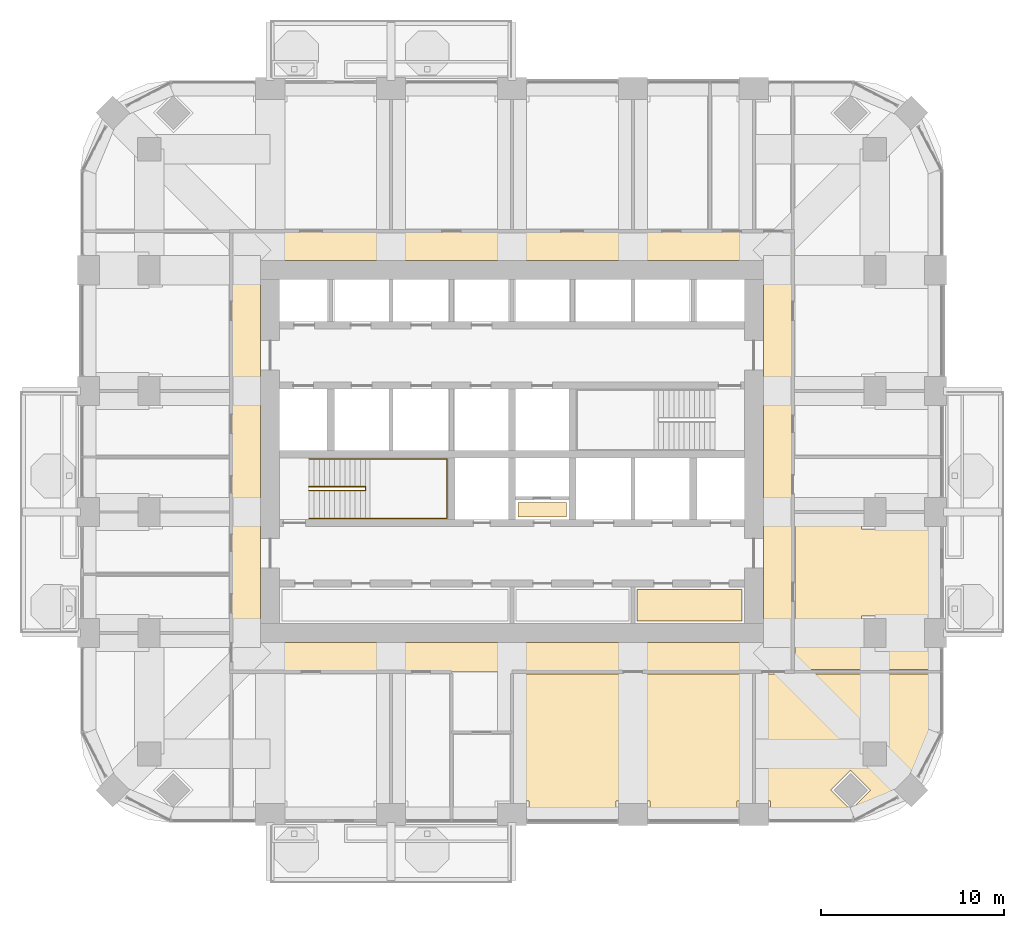
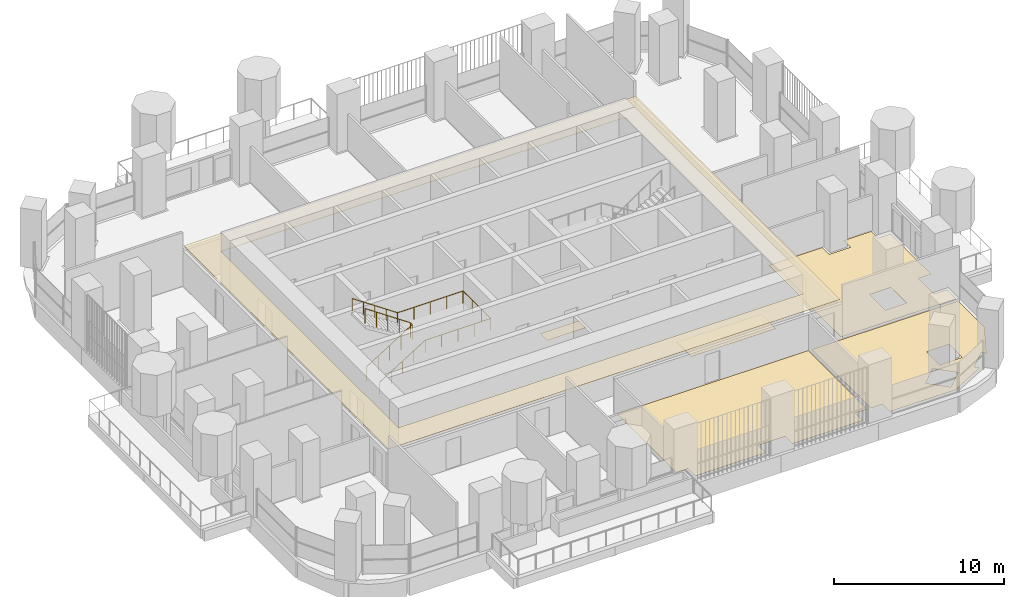
# One storey, part 17 of 20: 6 coverings, 2 railings.
"""IFC4 building model written with IfcOpenShell, lengths in metres."""

import ifcopenshell
import ifcopenshell.guid

model = None  # the IFC model being written
_history = None  # IfcOwnerHistory: only IFC2X3 demands one
_inside = {}  # id of a spatial element -> (the spatial element, [elements in it])
_under = {}  # id of a project, library or spatial element -> (it, [spatial elements below it])
_declared = {}  # id of a project -> (the project, [libraries it declares])
_typed = {}  # id of a type object -> (the type object, [elements of that type])
_made_of = {}  # id of a material, layer set ... -> (it, [elements and type objects made of it])


def new_model(schema):
    """Start an empty IFC model of exactly this schema.

    Asked for "IFC4X3", IfcOpenShell would pick the latest addendum, in which some entities
    have other attributes; the version numbers below select the first issue.
    IFC2X3 requires an IfcOwnerHistory on every rooted entity: one is made here for all.
    """
    global model, _history
    if schema == "IFC4X3":
        model = ifcopenshell.file(schema_version=(4, 3, 0, 0))
    else:
        model = ifcopenshell.file(schema=schema)
    _inside.clear()
    _under.clear()
    _declared.clear()
    _typed.clear()
    _made_of.clear()
    _history = None
    if model.schema == "IFC2X3":
        org = make("IfcOrganization", Name="unknown")
        user = make(
            "IfcPersonAndOrganization",
            ThePerson=make("IfcPerson", FamilyName="unknown"),
            TheOrganization=org,
        )
        app = make(
            "IfcApplication",
            ApplicationDeveloper=org,
            Version="unknown",
            ApplicationFullName="unknown",
            ApplicationIdentifier="unknown",
        )
        _history = make(
            "IfcOwnerHistory",
            OwningUser=user,
            OwningApplication=app,
            ChangeAction="ADDED",
            CreationDate=0,
        )
    return model


def make(cls, **values):
    """One entity of the class cls with the attributes given. An attribute that is None is left unset."""
    return model.create_entity(
        cls, **{name: value for name, value in values.items() if value is not None}
    )


def rooted(cls, **values):
    """An entity with a GlobalId (a new one), such as an element, a storey or a relation."""
    return make(cls, GlobalId=ifcopenshell.guid.new(), OwnerHistory=_history, **values)


def si_unit(unit_type, name, prefix=None):
    """IfcSIUnit, for example si_unit("LENGTHUNIT", "METRE", prefix="MILLI")."""
    return make("IfcSIUnit", UnitType=unit_type, Prefix=prefix, Name=name)


def assignment(units):
    """IfcUnitAssignment: the units of a project."""
    return None if units is None else make("IfcUnitAssignment", Units=units)


def point(xyz):
    """IfcCartesianPoint."""
    return None if xyz is None else make("IfcCartesianPoint", Coordinates=xyz)


def direction(xyz):
    """IfcDirection."""
    return None if xyz is None else make("IfcDirection", DirectionRatios=xyz)


def frame(location, z_axis=None, x_axis=None):
    """IfcAxis2Placement3D, a coordinate frame: its origin and axes. An axis left out is left unset."""
    return make(
        "IfcAxis2Placement3D",
        Location=point(location),
        Axis=direction(z_axis),
        RefDirection=direction(x_axis),
    )


def origin():
    """The frame at (0, 0, 0) with its axes left unset."""
    return frame((0.0, 0.0, 0.0))


def place(relative_to, where):
    """IfcLocalPlacement: puts the frame where relative to a parent placement (None: the world)."""
    return make(
        "IfcLocalPlacement", PlacementRelTo=relative_to, RelativePlacement=where
    )


def context(
    kind, dimensions, precision=None, world=None, true_north=None, identifier=None
):
    """IfcGeometricRepresentationContext, for example the 3D "Model" context."""
    return make(
        "IfcGeometricRepresentationContext",
        ContextIdentifier=identifier,
        ContextType=kind,
        CoordinateSpaceDimension=dimensions,
        Precision=precision,
        WorldCoordinateSystem=world,
        TrueNorth=true_north,
    )


def subcontext(parent, identifier, kind, view, scale=None):
    """IfcGeometricRepresentationSubContext, for example "Body" below "Model"."""
    return make(
        "IfcGeometricRepresentationSubContext",
        ContextIdentifier=identifier,
        ContextType=kind,
        ParentContext=parent,
        TargetScale=scale,
        TargetView=view,
    )


def project(units=None, contexts=None):
    """IfcProject with its units and contexts."""
    return rooted(
        "IfcProject",
        Name="project",
        RepresentationContexts=contexts,
        UnitsInContext=assignment(units),
    )


def spatial(cls, under=None, at=None, **own):
    """A site, building, storey or space (cls), placed at a placement, below another one or the project."""
    s = rooted(cls, ObjectPlacement=at, **own)
    if under is not None:
        _under.setdefault(under.id(), (under, []))[1].append(s)
    return s


def polyline(points):
    """IfcPolyline through the points."""
    return make("IfcPolyline", Points=[point(p) for p in points])


def outline(outer, holes=None, kind="AREA"):
    """IfcArbitraryClosedProfileDef: a profile drawn as a closed curve; with holes, ...WithVoids."""
    if holes is None:
        return make("IfcArbitraryClosedProfileDef", ProfileType=kind, OuterCurve=outer)
    return make(
        "IfcArbitraryProfileDefWithVoids",
        ProfileType=kind,
        OuterCurve=outer,
        InnerCurves=holes,
    )


def extrude(swept, where, along, depth):
    """IfcExtrudedAreaSolid: the profile swept, set in the frame where, extruded along a direction by depth."""
    return make(
        "IfcExtrudedAreaSolid",
        SweptArea=swept,
        Position=where,
        ExtrudedDirection=direction(along),
        Depth=depth,
    )


def shape(context_of_items, identifier, shape_type, items):
    """IfcShapeRepresentation: the items that make up one representation, for example the "Body"."""
    return make(
        "IfcShapeRepresentation",
        ContextOfItems=context_of_items,
        RepresentationIdentifier=identifier,
        RepresentationType=shape_type,
        Items=items,
    )


def material(Name=None, Category=None):
    """IfcMaterial."""
    return make("IfcMaterial", Name=Name, Category=Category)


def layer(
    of_material, thickness, ventilated=None, Name=None, Category=None, Priority=None
):
    """IfcMaterialLayer: one layer of a wall or slab, of a material (None: an air gap)."""
    return make(
        "IfcMaterialLayer",
        Material=of_material,
        LayerThickness=thickness,
        IsVentilated=ventilated,
        Name=Name,
        Category=Category,
        Priority=Priority,
    )


def layer_set(layers, Name=None):
    """IfcMaterialLayerSet."""
    return make("IfcMaterialLayerSet", MaterialLayers=layers, LayerSetName=Name)


def made_of(thing, what):
    """Note that an element or type object is made of a material, layer set ...; save() writes the relation."""
    if what is not None:
        _made_of.setdefault(what.id(), (what, []))[1].append(thing)
    return thing


def type_object(cls, material=None, **own):
    """A type object (cls), such as IfcWallType, which elements share."""
    return made_of(rooted(cls, **own), material)


def element(
    cls,
    number,
    at=None,
    inside=None,
    cuts=None,
    type_object=None,
    material=None,
    context=None,
    identifier="Body",
    shape_type=None,
    held_by="IfcProductDefinitionShape",
    body=None,
    shapes=None,
    **own,
):
    """One element of the class cls, such as IfcWall. Its Tag is "e" and its number.

    at: its placement. inside: the storey or other place that contains it. cuts: it is an
    opening in that element (IfcRelVoidsElement). A single representation is given by context,
    identifier, shape_type and body (its items); several are given by shapes. held_by: the class
    of the entity that holds the representations. save() writes the other relations.
    """
    e = rooted(cls, Tag="e%d" % number, ObjectPlacement=at, **own)
    if body is not None:
        shapes = [shape(context, identifier, shape_type, body)]
    if shapes is not None:
        e.Representation = make(held_by, Representations=shapes)
    if inside is not None:
        _inside.setdefault(inside.id(), (inside, []))[1].append(e)
    if cuts is not None:
        rooted(
            "IfcRelVoidsElement", RelatingBuildingElement=cuts, RelatedOpeningElement=e
        )
    if type_object is not None:
        _typed.setdefault(type_object.id(), (type_object, []))[1].append(e)
    return made_of(e, material)


def aggregate(whole, parts):
    """IfcRelAggregates: a whole, such as a stair, and the parts it consists of."""
    return rooted("IfcRelAggregates", RelatingObject=whole, RelatedObjects=parts)


def save(model, path):
    """Write the relations noted so far, then the file.

    IfcRelAggregates (storeys below a building ...), IfcRelContainedInSpatialStructure (elements
    in a storey), IfcRelDefinesByType, IfcRelAssociatesMaterial and IfcRelDeclares: one each for
    every whole, place, type object, material and project.
    """
    for whole, parts in _under.values():
        aggregate(whole, parts)
    for where, things in _inside.values():
        rooted(
            "IfcRelContainedInSpatialStructure",
            RelatedElements=things,
            RelatingStructure=where,
        )
    for kind, things in _typed.values():
        rooted("IfcRelDefinesByType", RelatedObjects=things, RelatingType=kind)
    for what, things in _made_of.values():
        rooted("IfcRelAssociatesMaterial", RelatedObjects=things, RelatingMaterial=what)
    for by, libraries in _declared.values():
        rooted("IfcRelDeclares", RelatingContext=by, RelatedDefinitions=libraries)
    model.write(path)


model = new_model("IFC4")

# Units and contexts
model_context = context("Model", 3, precision=1e-05, world=origin(), true_north=direction((0.0, 1.0)))
body_context = subcontext(model_context, "Body", "Model", "MODEL_VIEW")
ifc_project = project(units=[si_unit("LENGTHUNIT", "METRE"), si_unit("AREAUNIT", "SQUARE_METRE"), si_unit("VOLUMEUNIT", "CUBIC_METRE"), si_unit("PLANEANGLEUNIT", "RADIAN"), si_unit("MASSUNIT", "GRAM", prefix="KILO")], contexts=[model_context])

# Site, building, storey
site_placement = place(None, origin())
site = spatial("IfcSite", under=ifc_project, at=site_placement, CompositionType="ELEMENT")
building_placement = place(site_placement, origin())
building = spatial("IfcBuilding", under=site, at=building_placement, Name="Cobogo Forest Laboratory Tower", CompositionType="ELEMENT")
storey_placement = place(building_placement, frame((0.0, 0.0, 218.699951171875)))
storey = spatial("IfcBuildingStorey", under=building, at=storey_placement, Name="L50", CompositionType="ELEMENT", Elevation=218.699951171875)

# Coverings
ifc_material_1 = material(Name="Mineral fibre ceiling tile", Category="ceiling")
ifc_layer_1 = layer(ifc_material_1, 0.02001953125)
ifc_layer_set_1 = layer_set([ifc_layer_1], Name="CL1 suspended ceiling")
covering_type_1 = type_object("IfcCoveringType", Name="CL1 suspended ceiling", PredefinedType="CEILING", material=ifc_layer_set_1)
covering_1_placement = place(storey_placement, frame((0.0, 0.0, 2.800048828125)))
element("IfcCovering", 1, at=covering_1_placement, inside=storey, type_object=covering_type_1, Name="Corridor ceiling L50", PredefinedType="CEILING", context=body_context, shape_type="SweptSolid", body=[
    extrude(outline(polyline([(11.074951171875, 11.074951171875), (11.074951171875, 35.125), (41.72509765625, 35.125), (41.72509765625, 11.074951171875), (11.074951171875, 11.074951171875)]), holes=[polyline([(40.125, 33.52490234375), (12.675048828125, 33.52490234375), (12.675048828125, 12.675048828125), (40.125, 12.675048828125), (40.125, 33.52490234375)])]), origin(), (0.0, 0.0, 1.0), 0.02001953125),
])
ifc_material_2 = material(Name="Carpet tile on raised access floor", Category="flooring")
ifc_layer_2 = layer(ifc_material_2, 0.008056640625)
ifc_layer_set_2 = layer_set([ifc_layer_2], Name="CT1 carpet tile floor 8")
covering_type_2 = type_object("IfcCoveringType", Name="CT1 carpet tile floor 8", PredefinedType="FLOORING", material=ifc_layer_set_2)
covering_2_placement = place(storey_placement, origin())
element("IfcCovering", 2, at=covering_2_placement, inside=storey, type_object=covering_type_2, Name="Carpet floor L50-04", PredefinedType="FLOORING", context=body_context, shape_type="SweptSolid", body=[
    extrude(outline(polyline([(39.47998046875, 10.955078125), (39.47998046875, 4.02001953125), (38.679931640625, 4.02001953125), (38.679931640625, 3.14990234375), (33.919921875, 3.14990234375), (33.919921875, 4.02001953125), (32.080078125, 4.02001953125), (32.080078125, 3.14990234375), (27.320068359375, 3.14990234375), (27.320068359375, 4.02001953125), (26.52001953125, 4.02001953125), (26.52001953125, 10.955078125), (39.47998046875, 10.955078125)])), origin(), (0.0, 0.0, 1.0), 0.008056640625),
])
covering_3_placement = place(storey_placement, origin())
element("IfcCovering", 3, at=covering_3_placement, inside=storey, type_object=covering_type_2, Name="Carpet floor L50-06", PredefinedType="FLOORING", context=body_context, shape_type="SweptSolid", body=[
    extrude(outline(polyline([(41.844970703125, 19.679931640625), (45.47998046875, 19.679931640625), (45.47998046875, 18.8798828125), (46.919921875, 18.8798828125), (46.919921875, 19.679931640625), (48.780029296875, 19.679931640625), (48.780029296875, 18.8798828125), (49.64990234375, 18.8798828125), (49.64990234375, 14.1201171875), (48.780029296875, 14.1201171875), (48.780029296875, 12.280029296875), (49.64990234375, 12.280029296875), (49.64990234375, 11.195068359375), (41.844970703125, 11.195068359375), (41.844970703125, 19.679931640625)]), holes=[polyline([(46.919921875, 12.280029296875), (46.919921875, 14.1201171875), (45.47998046875, 14.1201171875), (45.47998046875, 12.280029296875), (46.919921875, 12.280029296875)])]), origin(), (0.0, 0.0, 1.0), 0.008056640625),
])
covering_4_placement = place(storey_placement, origin())
element("IfcCovering", 4, at=covering_4_placement, inside=storey, type_object=covering_type_2, Name="Carpet floor L50-28", PredefinedType="FLOORING", context=body_context, shape_type="SweptSolid", body=[
    extrude(outline(polyline([(29.3798828125, 19.52001953125), (26.719970703125, 19.52001953125), (26.719970703125, 20.330078125), (29.3798828125, 20.330078125), (29.3798828125, 19.52001953125)])), origin(), (0.0, 0.0, 1.0), 0.008056640625),
])
covering_5_placement = place(storey_placement, origin())
element("IfcCovering", 5, at=covering_5_placement, inside=storey, type_object=covering_type_2, Name="Carpet floor L50-32", PredefinedType="FLOORING", context=body_context, shape_type="SweptSolid", body=[
    extrude(outline(polyline([(38.955078125, 13.844970703125), (33.219970703125, 13.844970703125), (33.219970703125, 15.580078125), (38.955078125, 15.580078125), (38.955078125, 13.844970703125)])), origin(), (0.0, 0.0, 1.0), 0.008056640625),
])

# Railings
ifc_material_3 = material(Name="Steel balustrade", Category="steel")
railing_type_1 = type_object("IfcRailingType", Name="GR stair guard 1100", PredefinedType="GUARDRAIL", material=ifc_material_3)
railing_1_placement = place(storey_placement, frame((15.324951171875, 20.969970703125, 0.175048828125)))
element("IfcRailing", 6, at=railing_1_placement, inside=storey, type_object=railing_type_1, Name="Stair guard ST1 L50", PredefinedType="GUARDRAIL", context=body_context, shape_type="SweptSolid", body=[
    extrude(outline(polyline([(0.022216796875, 0.00927734375), (0.00927734375, 0.022216796875), (-0.00927734375, 0.022216796875), (-0.022216796875, 0.00927734375), (-0.022216796875, -0.00927734375), (-0.00927734375, -0.022216796875), (0.00927734375, -0.022216796875), (0.022216796875, -0.00927734375), (0.022216796875, 0.00927734375)])), frame((0.0, 0.0, 1.077880859375), z_axis=(0.847998304005, 0.0, 0.529998940003), x_axis=(0.0, 1.0, 0.0)), (0.0, 0.0, 1.0), 3.632080078125),
    extrude(outline(polyline([(0.022216796875, 0.00927734375), (0.00927734375, 0.022216796875), (-0.00927734375, 0.022216796875), (-0.022216796875, 0.00927734375), (-0.022216796875, -0.00927734375), (-0.00927734375, -0.022216796875), (0.00927734375, -0.022216796875), (0.022216796875, -0.00927734375), (0.022216796875, 0.00927734375)])), frame((3.080078125, 0.0, 3.0029296875), z_axis=(0.0, 1.0, 0.0), x_axis=(-1.0, 0.0, 0.0)), (0.0, 0.0, 1.0), 0.2099609375),
    extrude(outline(polyline([(0.022216796875, 0.00927734375), (0.00927734375, 0.022216796875), (-0.00927734375, 0.022216796875), (-0.022216796875, 0.00927734375), (-0.022216796875, -0.00927734375), (-0.00927734375, -0.022216796875), (0.00927734375, -0.022216796875), (0.022216796875, -0.00927734375), (0.022216796875, 0.00927734375)])), frame((3.080078125, 0.2099609375, 3.0029296875), z_axis=(-0.826252282691, 0.0, 0.563300244406), x_axis=(0.0, -1.0, 0.0)), (0.0, 0.0, 1.0), 3.727783203125),
    extrude(outline(polyline([(0.019287109375, 0.008056640625), (0.008056640625, 0.019287109375), (-0.008056640625, 0.019287109375), (-0.019287109375, 0.008056640625), (-0.019287109375, -0.008056640625), (-0.008056640625, -0.019287109375), (0.008056640625, -0.019287109375), (0.019287109375, -0.008056640625), (0.019287109375, 0.008056640625)])), origin(), (0.0, 0.0, 1.0), 1.077880859375),
    extrude(outline(polyline([(0.019287109375, 0.008056640625), (0.008056640625, 0.019287109375), (-0.008056640625, 0.019287109375), (-0.019287109375, 0.008056640625), (-0.019287109375, -0.008056640625), (-0.008056640625, -0.019287109375), (0.008056640625, -0.019287109375), (0.019287109375, -0.008056640625), (0.019287109375, 0.008056640625)])), frame((0.77001953125, 0.0, 0.481201171875)), (0.0, 0.0, 1.0), 1.077880859375),
    extrude(outline(polyline([(0.019287109375, 0.008056640625), (0.008056640625, 0.019287109375), (-0.008056640625, 0.019287109375), (-0.019287109375, 0.008056640625), (-0.019287109375, -0.008056640625), (-0.008056640625, -0.019287109375), (0.008056640625, -0.019287109375), (0.019287109375, -0.008056640625), (0.019287109375, 0.008056640625)])), frame((1.5400390625, 0.0, 0.96240234375)), (0.0, 0.0, 1.0), 1.077880859375),
    extrude(outline(polyline([(0.019287109375, 0.008056640625), (0.008056640625, 0.019287109375), (-0.008056640625, 0.019287109375), (-0.019287109375, 0.008056640625), (-0.019287109375, -0.008056640625), (-0.008056640625, -0.019287109375), (0.008056640625, -0.019287109375), (0.019287109375, -0.008056640625), (0.019287109375, 0.008056640625)])), frame((2.31005859375, 0.0, 1.44384765625)), (0.0, 0.0, 1.0), 1.077880859375),
    extrude(outline(polyline([(0.019287109375, 0.008056640625), (0.008056640625, 0.019287109375), (-0.008056640625, 0.019287109375), (-0.019287109375, 0.008056640625), (-0.019287109375, -0.008056640625), (-0.008056640625, -0.019287109375), (0.008056640625, -0.019287109375), (0.019287109375, -0.008056640625), (0.019287109375, 0.008056640625)])), frame((3.080078125, 0.0, 1.925048828125)), (0.0, 0.0, 1.0), 1.077880859375),
    extrude(outline(polyline([(0.019287109375, 0.008056640625), (0.008056640625, 0.019287109375), (-0.008056640625, 0.019287109375), (-0.019287109375, 0.008056640625), (-0.019287109375, -0.008056640625), (-0.008056640625, -0.019287109375), (0.008056640625, -0.019287109375), (0.019287109375, -0.008056640625), (0.019287109375, 0.008056640625)])), frame((3.080078125, 0.2099609375, 1.925048828125)), (0.0, 0.0, 1.0), 1.077880859375),
    extrude(outline(polyline([(0.019287109375, 0.008056640625), (0.008056640625, 0.019287109375), (-0.008056640625, 0.019287109375), (-0.019287109375, 0.008056640625), (-0.019287109375, -0.008056640625), (-0.008056640625, -0.019287109375), (0.008056640625, -0.019287109375), (0.019287109375, -0.008056640625), (0.019287109375, 0.008056640625)])), frame((2.31005859375, 0.2099609375, 2.449951171875)), (0.0, 0.0, 1.0), 1.077880859375),
    extrude(outline(polyline([(0.019287109375, 0.008056640625), (0.008056640625, 0.019287109375), (-0.008056640625, 0.019287109375), (-0.019287109375, 0.008056640625), (-0.019287109375, -0.008056640625), (-0.008056640625, -0.019287109375), (0.008056640625, -0.019287109375), (0.019287109375, -0.008056640625), (0.019287109375, 0.008056640625)])), frame((1.5400390625, 0.2099609375, 2.97509765625)), (0.0, 0.0, 1.0), 1.077880859375),
    extrude(outline(polyline([(0.019287109375, 0.008056640625), (0.008056640625, 0.019287109375), (-0.008056640625, 0.019287109375), (-0.019287109375, 0.008056640625), (-0.019287109375, -0.008056640625), (-0.008056640625, -0.019287109375), (0.008056640625, -0.019287109375), (0.019287109375, -0.008056640625), (0.019287109375, 0.008056640625)])), frame((0.77001953125, 0.2099609375, 3.5)), (0.0, 0.0, 1.0), 1.077880859375),
    extrude(outline(polyline([(0.019287109375, 0.008056640625), (0.008056640625, 0.019287109375), (-0.008056640625, 0.019287109375), (-0.019287109375, 0.008056640625), (-0.019287109375, -0.008056640625), (-0.008056640625, -0.019287109375), (0.008056640625, -0.019287109375), (0.019287109375, -0.008056640625), (0.019287109375, 0.008056640625)])), frame((0.0, 0.2099609375, 4.02490234375)), (0.0, 0.0, 1.0), 1.077880859375),
])
ifc_material_4 = material(Name="Stainless steel handrail", Category="steel")
railing_type_2 = type_object("IfcRailingType", Name="HR handrail 900", PredefinedType="HANDRAIL", material=ifc_material_4)
railing_2_placement = place(storey_placement, frame((15.324951171875, 19.449951171875, 0.175048828125)))
element("IfcRailing", 7, at=railing_2_placement, inside=storey, type_object=railing_type_2, Name="Stair handrail ST1 L50", PredefinedType="HANDRAIL", context=body_context, shape_type="SweptSolid", body=[
    extrude(outline(polyline([(0.022216796875, 0.00927734375), (0.00927734375, 0.022216796875), (-0.00927734375, 0.022216796875), (-0.022216796875, 0.00927734375), (-0.022216796875, -0.00927734375), (-0.00927734375, -0.022216796875), (0.00927734375, -0.022216796875), (0.022216796875, -0.00927734375), (0.022216796875, 0.00927734375)])), frame((0.0, 0.0, 0.877685546875), z_axis=(0.847998304005, 0.0, 0.529998940003), x_axis=(0.0, 1.0, 0.0)), (0.0, 0.0, 1.0), 3.632080078125),
    extrude(outline(polyline([(0.022216796875, 0.00927734375), (0.00927734375, 0.022216796875), (-0.00927734375, 0.022216796875), (-0.022216796875, 0.00927734375), (-0.022216796875, -0.00927734375), (-0.00927734375, -0.022216796875), (0.00927734375, -0.022216796875), (0.022216796875, -0.00927734375), (0.022216796875, 0.00927734375)])), frame((3.080078125, 0.0, 2.802734375), z_axis=(1.0, 0.0, 0.0), x_axis=(0.0, 1.0, 0.0)), (0.0, 0.0, 1.0), 4.445068359375),
    extrude(outline(polyline([(0.022216796875, 0.00927734375), (0.00927734375, 0.022216796875), (-0.00927734375, 0.022216796875), (-0.022216796875, 0.00927734375), (-0.022216796875, -0.00927734375), (-0.00927734375, -0.022216796875), (0.00927734375, -0.022216796875), (0.022216796875, -0.00927734375), (0.022216796875, 0.00927734375)])), frame((7.525146484375, 0.0, 2.802734375), z_axis=(0.0, 1.0, 0.0), x_axis=(-1.0, 0.0, 0.0)), (0.0, 0.0, 1.0), 3.25),
    extrude(outline(polyline([(0.022216796875, 0.00927734375), (0.00927734375, 0.022216796875), (-0.00927734375, 0.022216796875), (-0.022216796875, 0.00927734375), (-0.022216796875, -0.00927734375), (-0.00927734375, -0.022216796875), (0.00927734375, -0.022216796875), (0.022216796875, -0.00927734375), (0.022216796875, 0.00927734375)])), frame((7.525146484375, 3.25, 2.802734375), z_axis=(-1.0, 0.0, 0.0), x_axis=(0.0, -1.0, 0.0)), (0.0, 0.0, 1.0), 4.445068359375),
    extrude(outline(polyline([(0.022216796875, 0.00927734375), (0.00927734375, 0.022216796875), (-0.00927734375, 0.022216796875), (-0.022216796875, 0.00927734375), (-0.022216796875, -0.00927734375), (-0.00927734375, -0.022216796875), (0.00927734375, -0.022216796875), (0.022216796875, -0.00927734375), (0.022216796875, 0.00927734375)])), frame((3.080078125, 3.25, 2.802734375), z_axis=(-0.826252282691, 0.0, 0.563300244406), x_axis=(0.0, -1.0, 0.0)), (0.0, 0.0, 1.0), 3.727783203125),
    extrude(outline(polyline([(0.019287109375, 0.008056640625), (0.008056640625, 0.019287109375), (-0.008056640625, 0.019287109375), (-0.019287109375, 0.008056640625), (-0.019287109375, -0.008056640625), (-0.008056640625, -0.019287109375), (0.008056640625, -0.019287109375), (0.019287109375, -0.008056640625), (0.019287109375, 0.008056640625)])), origin(), (0.0, 0.0, 1.0), 0.877685546875),
    extrude(outline(polyline([(0.019287109375, 0.008056640625), (0.008056640625, 0.019287109375), (-0.008056640625, 0.019287109375), (-0.019287109375, 0.008056640625), (-0.019287109375, -0.008056640625), (-0.008056640625, -0.019287109375), (0.008056640625, -0.019287109375), (0.019287109375, -0.008056640625), (0.019287109375, 0.008056640625)])), frame((0.77001953125, 0.0, 0.481201171875)), (0.0, 0.0, 1.0), 0.877685546875),
    extrude(outline(polyline([(0.019287109375, 0.008056640625), (0.008056640625, 0.019287109375), (-0.008056640625, 0.019287109375), (-0.019287109375, 0.008056640625), (-0.019287109375, -0.008056640625), (-0.008056640625, -0.019287109375), (0.008056640625, -0.019287109375), (0.019287109375, -0.008056640625), (0.019287109375, 0.008056640625)])), frame((1.5400390625, 0.0, 0.96240234375)), (0.0, 0.0, 1.0), 0.877685546875),
    extrude(outline(polyline([(0.019287109375, 0.008056640625), (0.008056640625, 0.019287109375), (-0.008056640625, 0.019287109375), (-0.019287109375, 0.008056640625), (-0.019287109375, -0.008056640625), (-0.008056640625, -0.019287109375), (0.008056640625, -0.019287109375), (0.019287109375, -0.008056640625), (0.019287109375, 0.008056640625)])), frame((2.31005859375, 0.0, 1.44384765625)), (0.0, 0.0, 1.0), 0.877685546875),
    extrude(outline(polyline([(0.019287109375, 0.008056640625), (0.008056640625, 0.019287109375), (-0.008056640625, 0.019287109375), (-0.019287109375, 0.008056640625), (-0.019287109375, -0.008056640625), (-0.008056640625, -0.019287109375), (0.008056640625, -0.019287109375), (0.019287109375, -0.008056640625), (0.019287109375, 0.008056640625)])), frame((3.080078125, 0.0, 1.925048828125)), (0.0, 0.0, 1.0), 0.877685546875),
    extrude(outline(polyline([(0.019287109375, 0.008056640625), (0.008056640625, 0.019287109375), (-0.008056640625, 0.019287109375), (-0.019287109375, 0.008056640625), (-0.019287109375, -0.008056640625), (-0.008056640625, -0.019287109375), (0.008056640625, -0.019287109375), (0.019287109375, -0.008056640625), (0.019287109375, 0.008056640625)])), frame((4.19140625, 0.0, 1.925048828125)), (0.0, 0.0, 1.0), 0.877685546875),
    extrude(outline(polyline([(0.019287109375, 0.008056640625), (0.008056640625, 0.019287109375), (-0.008056640625, 0.019287109375), (-0.019287109375, 0.008056640625), (-0.019287109375, -0.008056640625), (-0.008056640625, -0.019287109375), (0.008056640625, -0.019287109375), (0.019287109375, -0.008056640625), (0.019287109375, 0.008056640625)])), frame((5.302734375, 0.0, 1.925048828125)), (0.0, 0.0, 1.0), 0.877685546875),
    extrude(outline(polyline([(0.019287109375, 0.008056640625), (0.008056640625, 0.019287109375), (-0.008056640625, 0.019287109375), (-0.019287109375, 0.008056640625), (-0.019287109375, -0.008056640625), (-0.008056640625, -0.019287109375), (0.008056640625, -0.019287109375), (0.019287109375, -0.008056640625), (0.019287109375, 0.008056640625)])), frame((6.413818359375, 0.0, 1.925048828125)), (0.0, 0.0, 1.0), 0.877685546875),
    extrude(outline(polyline([(0.019287109375, 0.008056640625), (0.008056640625, 0.019287109375), (-0.008056640625, 0.019287109375), (-0.019287109375, 0.008056640625), (-0.019287109375, -0.008056640625), (-0.008056640625, -0.019287109375), (0.008056640625, -0.019287109375), (0.019287109375, -0.008056640625), (0.019287109375, 0.008056640625)])), frame((7.525146484375, 0.0, 1.925048828125)), (0.0, 0.0, 1.0), 0.877685546875),
    extrude(outline(polyline([(0.019287109375, 0.008056640625), (0.008056640625, 0.019287109375), (-0.008056640625, 0.019287109375), (-0.019287109375, 0.008056640625), (-0.019287109375, -0.008056640625), (-0.008056640625, -0.019287109375), (0.008056640625, -0.019287109375), (0.019287109375, -0.008056640625), (0.019287109375, 0.008056640625)])), frame((7.525146484375, 1.083251953125, 1.925048828125)), (0.0, 0.0, 1.0), 0.877685546875),
    extrude(outline(polyline([(0.019287109375, 0.008056640625), (0.008056640625, 0.019287109375), (-0.008056640625, 0.019287109375), (-0.019287109375, 0.008056640625), (-0.019287109375, -0.008056640625), (-0.008056640625, -0.019287109375), (0.008056640625, -0.019287109375), (0.019287109375, -0.008056640625), (0.019287109375, 0.008056640625)])), frame((7.525146484375, 2.166748046875, 1.925048828125)), (0.0, 0.0, 1.0), 0.877685546875),
    extrude(outline(polyline([(0.019287109375, 0.008056640625), (0.008056640625, 0.019287109375), (-0.008056640625, 0.019287109375), (-0.019287109375, 0.008056640625), (-0.019287109375, -0.008056640625), (-0.008056640625, -0.019287109375), (0.008056640625, -0.019287109375), (0.019287109375, -0.008056640625), (0.019287109375, 0.008056640625)])), frame((7.525146484375, 3.25, 1.925048828125)), (0.0, 0.0, 1.0), 0.877685546875),
    extrude(outline(polyline([(0.019287109375, 0.008056640625), (0.008056640625, 0.019287109375), (-0.008056640625, 0.019287109375), (-0.019287109375, 0.008056640625), (-0.019287109375, -0.008056640625), (-0.008056640625, -0.019287109375), (0.008056640625, -0.019287109375), (0.019287109375, -0.008056640625), (0.019287109375, 0.008056640625)])), frame((6.413818359375, 3.25, 1.925048828125)), (0.0, 0.0, 1.0), 0.877685546875),
    extrude(outline(polyline([(0.019287109375, 0.008056640625), (0.008056640625, 0.019287109375), (-0.008056640625, 0.019287109375), (-0.019287109375, 0.008056640625), (-0.019287109375, -0.008056640625), (-0.008056640625, -0.019287109375), (0.008056640625, -0.019287109375), (0.019287109375, -0.008056640625), (0.019287109375, 0.008056640625)])), frame((5.302734375, 3.25, 1.925048828125)), (0.0, 0.0, 1.0), 0.877685546875),
    extrude(outline(polyline([(0.019287109375, 0.008056640625), (0.008056640625, 0.019287109375), (-0.008056640625, 0.019287109375), (-0.019287109375, 0.008056640625), (-0.019287109375, -0.008056640625), (-0.008056640625, -0.019287109375), (0.008056640625, -0.019287109375), (0.019287109375, -0.008056640625), (0.019287109375, 0.008056640625)])), frame((4.19140625, 3.25, 1.925048828125)), (0.0, 0.0, 1.0), 0.877685546875),
    extrude(outline(polyline([(0.019287109375, 0.008056640625), (0.008056640625, 0.019287109375), (-0.008056640625, 0.019287109375), (-0.019287109375, 0.008056640625), (-0.019287109375, -0.008056640625), (-0.008056640625, -0.019287109375), (0.008056640625, -0.019287109375), (0.019287109375, -0.008056640625), (0.019287109375, 0.008056640625)])), frame((3.080078125, 3.25, 1.925048828125)), (0.0, 0.0, 1.0), 0.877685546875),
    extrude(outline(polyline([(0.019287109375, 0.008056640625), (0.008056640625, 0.019287109375), (-0.008056640625, 0.019287109375), (-0.019287109375, 0.008056640625), (-0.019287109375, -0.008056640625), (-0.008056640625, -0.019287109375), (0.008056640625, -0.019287109375), (0.019287109375, -0.008056640625), (0.019287109375, 0.008056640625)])), frame((2.31005859375, 3.25, 2.449951171875)), (0.0, 0.0, 1.0), 0.877685546875),
    extrude(outline(polyline([(0.019287109375, 0.008056640625), (0.008056640625, 0.019287109375), (-0.008056640625, 0.019287109375), (-0.019287109375, 0.008056640625), (-0.019287109375, -0.008056640625), (-0.008056640625, -0.019287109375), (0.008056640625, -0.019287109375), (0.019287109375, -0.008056640625), (0.019287109375, 0.008056640625)])), frame((1.5400390625, 3.25, 2.97509765625)), (0.0, 0.0, 1.0), 0.877685546875),
    extrude(outline(polyline([(0.019287109375, 0.008056640625), (0.008056640625, 0.019287109375), (-0.008056640625, 0.019287109375), (-0.019287109375, 0.008056640625), (-0.019287109375, -0.008056640625), (-0.008056640625, -0.019287109375), (0.008056640625, -0.019287109375), (0.019287109375, -0.008056640625), (0.019287109375, 0.008056640625)])), frame((0.77001953125, 3.25, 3.5)), (0.0, 0.0, 1.0), 0.877685546875),
    extrude(outline(polyline([(0.019287109375, 0.008056640625), (0.008056640625, 0.019287109375), (-0.008056640625, 0.019287109375), (-0.019287109375, 0.008056640625), (-0.019287109375, -0.008056640625), (-0.008056640625, -0.019287109375), (0.008056640625, -0.019287109375), (0.019287109375, -0.008056640625), (0.019287109375, 0.008056640625)])), frame((0.0, 3.25, 4.02490234375)), (0.0, 0.0, 1.0), 0.877685546875),
])

# Covering
ifc_material_5 = material(Name="Static-dissipative vinyl flooring", Category="flooring")
ifc_layer_3 = layer(ifc_material_5, 0.0029296875)
ifc_layer_set_3 = layer_set([ifc_layer_3], Name="SD1 static-dissipative vinyl floor 3")
covering_type_3 = type_object("IfcCoveringType", Name="SD1 static-dissipative vinyl floor 3", PredefinedType="FLOORING", material=ifc_layer_set_3)
covering_6_placement = place(storey_placement, origin())
element("IfcCovering", 8, at=covering_6_placement, inside=storey, type_object=covering_type_3, Name="Static-dissipative floor L50-05", PredefinedType="FLOORING", context=body_context, shape_type="SweptSolid", body=[
    extrude(outline(polyline([(49.64990234375, 10.955078125), (49.64990234375, 7.84912109375), (48.408447265625, 5.480712890625), (48.181884765625, 5.70703125), (47.093017578125, 4.617919921875), (47.3193359375, 4.3916015625), (44.95068359375, 3.14990234375), (40.52001953125, 3.14990234375), (40.52001953125, 4.02001953125), (39.719970703125, 4.02001953125), (39.719970703125, 10.955078125), (49.64990234375, 10.955078125)]), holes=[polyline([(45.429931640625, 5.830078125), (46.969970703125, 5.830078125), (46.969970703125, 7.3701171875), (45.429931640625, 7.3701171875), (45.429931640625, 5.830078125)]), polyline([(44.882080078125, 3.529052734375), (45.970947265625, 4.617919921875), (44.882080078125, 5.70703125), (43.79296875, 4.617919921875), (44.882080078125, 3.529052734375)])]), origin(), (0.0, 0.0, 1.0), 0.0029296875),
])

save(model, "model.ifc")
